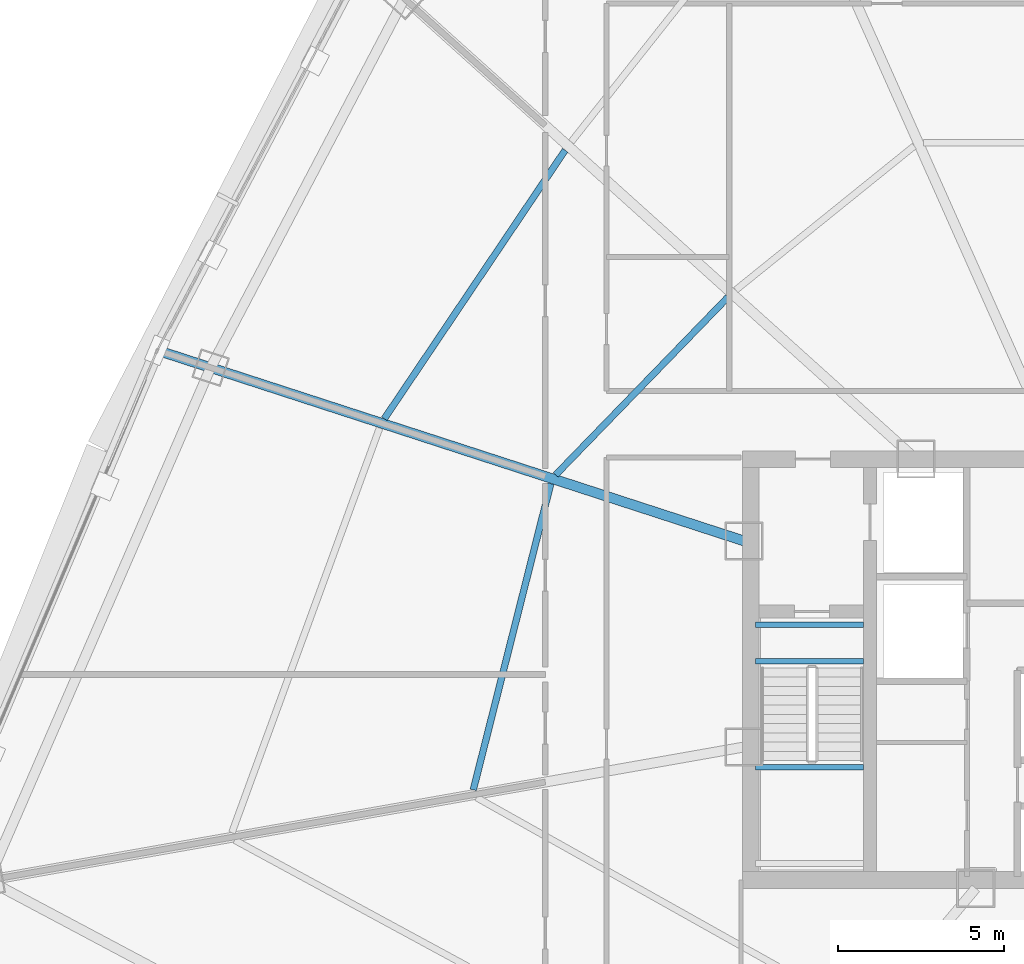
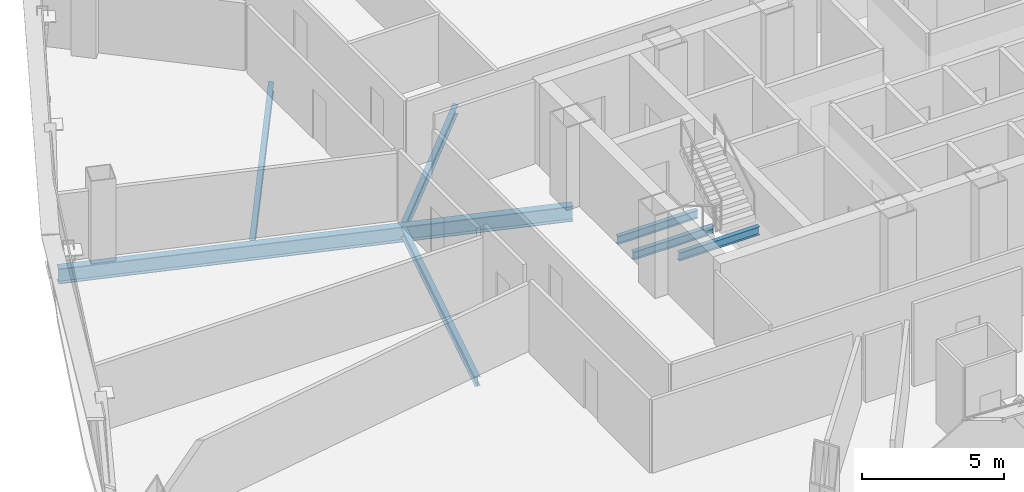
# One storey, part 9 of 37: 7 beams.
"""IFC4 building model written with IfcOpenShell, lengths in metres."""

from ifc_helpers import new_model, si_unit, direction, frame, origin, origin_2d, place, context, subcontext, project, spatial, i_section, extrude, source, transform, mapped, material, material_profile, profile_set, type_object, element, save


model = new_model("IFC4")

# Units and contexts
model_context = context("Model", 3, precision=1e-05, world=origin(), true_north=direction((0.0, 1.0)))
body_context = subcontext(model_context, "Body", "Model", "MODEL_VIEW")
ifc_project = project(units=[si_unit("LENGTHUNIT", "METRE"), si_unit("AREAUNIT", "SQUARE_METRE"), si_unit("VOLUMEUNIT", "CUBIC_METRE"), si_unit("PLANEANGLEUNIT", "RADIAN"), si_unit("MASSUNIT", "GRAM", prefix="KILO"), si_unit("THERMODYNAMICTEMPERATUREUNIT", "KELVIN"), si_unit("POWERUNIT", "WATT")], contexts=[model_context])

# Site, building, storey
site_placement = place(None, origin())
site = spatial("IfcSite", under=ifc_project, at=site_placement, CompositionType="ELEMENT")
building_placement = place(site_placement, origin())
building = spatial("IfcBuilding", under=site, at=building_placement, Name="Yunzhuo Pagoda Commons", CompositionType="ELEMENT")
storey_placement = place(building_placement, frame((0.0, 0.0, 207.56005859375)))
storey = spatial("IfcBuildingStorey", under=building, at=storey_placement, Name="L52", CompositionType="ELEMENT", Elevation=207.56005859375)

# Beams
ifc_material = material(Name="Structural steel Q355B", Category="steel")
ifc_material_profile_1 = material_profile(ifc_material, i_section(OverallWidth=0.175048828125, OverallDepth=0.35009765625, WebThickness=0.007080078125, FlangeThickness=0.010986328125, at=origin_2d()), Name="Structural steel Q355B")
ifc_profile_set_1 = profile_set([ifc_material_profile_1], Name="Structural steel Q355B")
beam_type_1 = type_object("IfcBeamType", Name="B-JS2 Joist HN 350x175x7x11", PredefinedType="JOIST", material=ifc_profile_set_1)
shared_shape_1 = source(origin(), body_context, "Body", "SweptSolid", [
    extrude(i_section(OverallWidth=0.175048828125, OverallDepth=0.35009765625, WebThickness=0.007080078125, FlangeThickness=0.010986328125, at=origin_2d()), origin(), (0.0, 0.0, 1.0), 3.25),
])
for number, where, z_axis, x_axis, name in (
    (1, (35.949951171875, 30.89990234375, 1.52490234375), (1.0, 0.0, 0.0), (0.0, 1.0, 0.0), "L52 ST1 landing support beam 58B"),
    (2, (35.949951171875, 34.10009765625, -0.375), (1.0, 0.0, 0.0), (0.0, 1.0, 0.0), "L52 ST1 landing support beam 156A"),
    (3, (35.949951171875, 35.199951171875, -0.375), (1.0, 0.0, 0.0), (0.0, 1.0, 0.0), "L52 ST1 landing support beam 156B"),
):
    element("IfcBeam", number, at=place(storey_placement, frame(where, z_axis=z_axis, x_axis=x_axis)), inside=storey, type_object=beam_type_1, Name=name, PredefinedType="JOIST", context=body_context, shape_type="MappedRepresentation", body=[
        mapped(shared_shape_1, transform((0.0, 0.0, 0.0), scale=1.0)),
    ])
ifc_material_profile_2 = material_profile(ifc_material, i_section(OverallWidth=0.199951171875, OverallDepth=0.39990234375, WebThickness=0.008056640625, FlangeThickness=0.012939453125, at=origin_2d()), Name="Structural steel Q355B")
ifc_profile_set_2 = profile_set([ifc_material_profile_2], Name="Structural steel Q355B")
beam_type_2 = type_object("IfcBeamType", Name="B-JS1 Joist HN 400x200x8x13", PredefinedType="JOIST", material=ifc_profile_set_2)
shared_shape_2 = source(origin(), body_context, "Body", "SweptSolid", [
    extrude(i_section(OverallWidth=0.199951171875, OverallDepth=0.39990234375, WebThickness=0.008056640625, FlangeThickness=0.012939453125, at=origin_2d()), origin(), (0.0, 0.0, 1.0), 9.529052734375),
])
beam_1_placement = place(storey_placement, frame((29.766845703125, 39.457763671875, -0.4599609375), z_axis=(-0.245367921097, -0.969430030119, 0.0), x_axis=(0.969430030119, -0.245367921097, 0.0)))
element("IfcBeam", 4, at=beam_1_placement, inside=storey, type_object=beam_type_2, Name="L52 composite ring joist 1.11", PredefinedType="JOIST", context=body_context, shape_type="MappedRepresentation", body=[
    mapped(shared_shape_2, transform((0.0, 0.0, 0.0), scale=1.0)),
])
shared_shape_3 = source(origin(), body_context, "Body", "SweptSolid", [
    extrude(i_section(OverallWidth=0.199951171875, OverallDepth=0.39990234375, WebThickness=0.008056640625, FlangeThickness=0.012939453125, at=origin_2d()), origin(), (0.0, 0.0, 1.0), 7.46826171875),
])
beam_2_placement = place(storey_placement, frame((35.114990234375, 45.087890625, -0.4599609375), z_axis=(-0.696070782679, -0.717973164889, 0.0), x_axis=(0.717973164889, -0.696070782679, 0.0)))
element("IfcBeam", 5, at=beam_2_placement, inside=storey, type_object=beam_type_2, Name="L52 composite ring joist 1.10", PredefinedType="JOIST", context=body_context, shape_type="MappedRepresentation", body=[
    mapped(shared_shape_3, transform((0.0, 0.0, 0.0), scale=1.0)),
])
shared_shape_4 = source(origin(), body_context, "Body", "SweptSolid", [
    extrude(i_section(OverallWidth=0.199951171875, OverallDepth=0.39990234375, WebThickness=0.008056640625, FlangeThickness=0.012939453125, at=origin_2d()), origin(), (0.0, 0.0, 1.0), 9.764892578125),
])
beam_3_placement = place(storey_placement, frame((30.198486328125, 49.5166015625, -0.4599609375), z_axis=(-0.558548425455, -0.829471914185, 0.0), x_axis=(0.829471914185, -0.558548425455, 0.0)))
element("IfcBeam", 6, at=beam_3_placement, inside=storey, type_object=beam_type_2, Name="L52 composite ring joist 2.10", PredefinedType="JOIST", context=body_context, shape_type="MappedRepresentation", body=[
    mapped(shared_shape_4, transform((0.0, 0.0, 0.0), scale=1.0)),
])
ifc_material_profile_3 = material_profile(ifc_material, i_section(OverallWidth=0.300048828125, OverallDepth=0.64990234375, WebThickness=0.012939453125, FlangeThickness=0.02197265625, at=origin_2d()), Name="Structural steel Q355B")
ifc_profile_set_3 = profile_set([ifc_material_profile_3], Name="Structural steel Q355B")
beam_type_3 = type_object("IfcBeamType", Name="B-RG2 Beam HN 650x300x13x22", PredefinedType="BEAM", material=ifc_profile_set_3)
shared_shape_5 = source(origin(), body_context, "Body", "SweptSolid", [
    extrude(i_section(OverallWidth=0.300048828125, OverallDepth=0.64990234375, WebThickness=0.012939453125, FlangeThickness=0.02197265625, at=origin_2d()), origin(), (0.0, 0.0, 1.0), 18.463623046875),
])
beam_4_placement = place(storey_placement, frame((18.0400390625, 43.4345703125, -0.5849609375), z_axis=(0.951057192744, -0.309014912472, 0.0), x_axis=(0.309014912472, 0.951057192744, 0.0)))
element("IfcBeam", 7, at=beam_4_placement, inside=storey, type_object=beam_type_3, Name="L52 radial floor girder F3C3", PredefinedType="BEAM", context=body_context, shape_type="MappedRepresentation", body=[
    mapped(shared_shape_5, transform((0.0, 0.0, 0.0), scale=1.0)),
])

save(model, "model.ifc")
